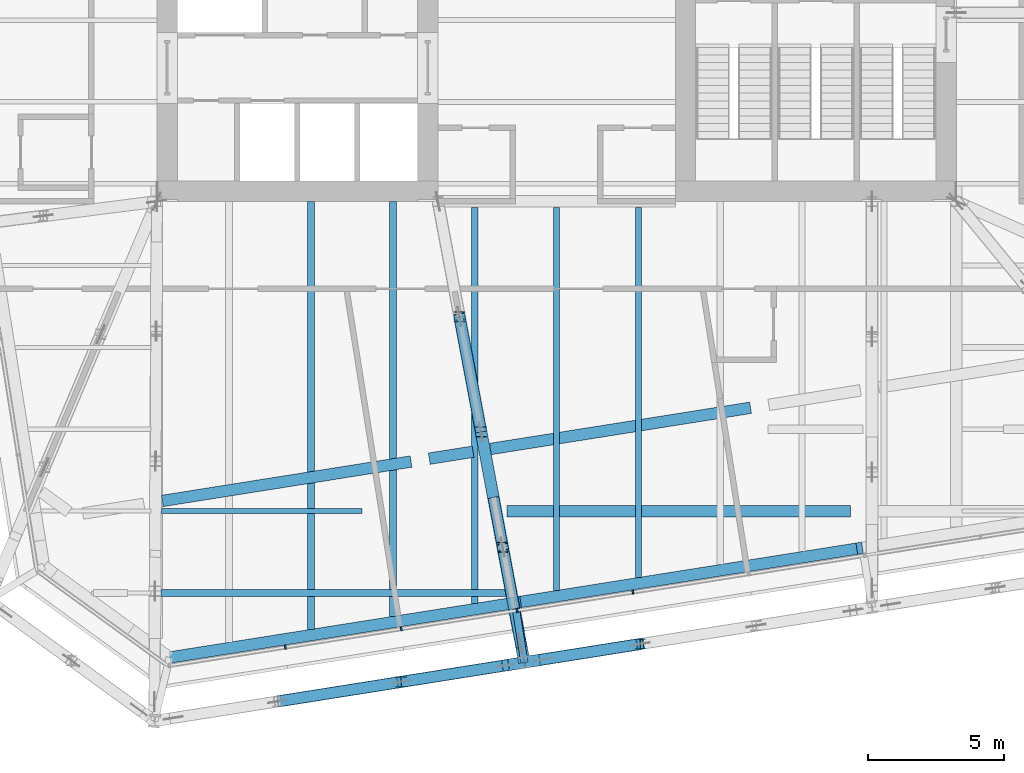
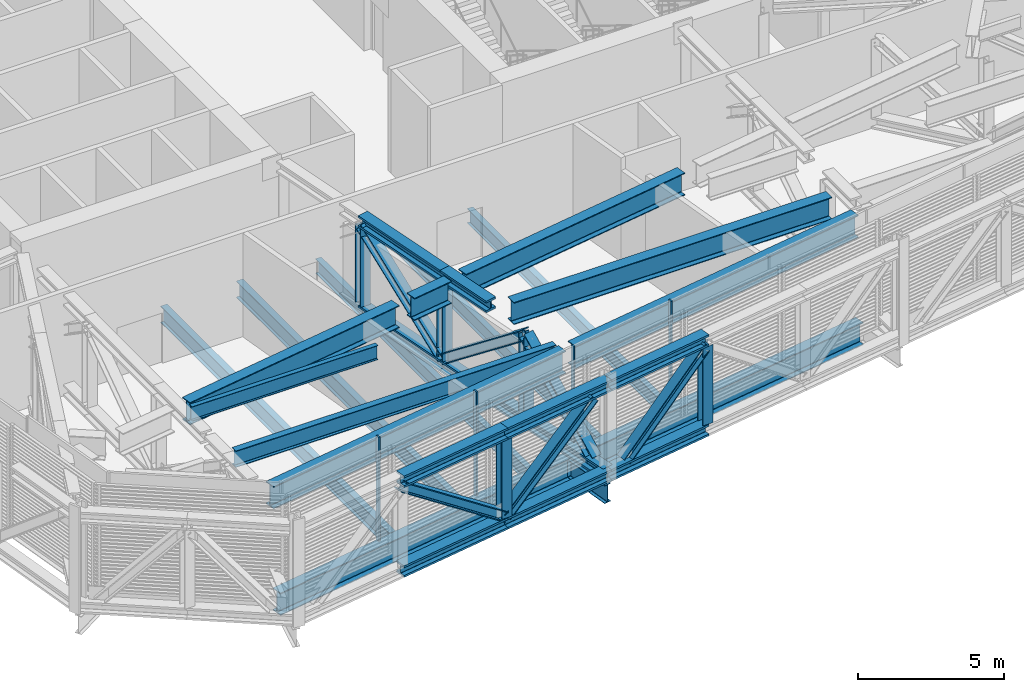
# One storey, part 3 of 31: 27 beams, 15 members, 1 element without a shape of its own.
"""IFC4 building model written with IfcOpenShell, lengths in metres."""

from ifc_helpers import new_model, si_unit, direction, frame, origin, origin_2d, place, context, subcontext, project, spatial, rectangle, i_section, extrude, material, layer, layer_set, material_profile, profile_set, type_object, element, aggregate, save


model = new_model("IFC4")

# Units and contexts
model_context = context("Model", 3, precision=1e-05, world=origin(), true_north=direction((0.0, 1.0)))
body_context = subcontext(model_context, "Body", "Model", "MODEL_VIEW")
ifc_project = project(units=[si_unit("LENGTHUNIT", "METRE"), si_unit("AREAUNIT", "SQUARE_METRE"), si_unit("VOLUMEUNIT", "CUBIC_METRE"), si_unit("PLANEANGLEUNIT", "RADIAN"), si_unit("MASSUNIT", "GRAM", prefix="KILO")], contexts=[model_context])

# Site, building, storey
site_placement = place(None, origin())
site = spatial("IfcSite", under=ifc_project, at=site_placement, CompositionType="ELEMENT")
building_placement = place(site_placement, origin())
building = spatial("IfcBuilding", under=site, at=building_placement, Name="Millrace Tower", CompositionType="ELEMENT")
storey_placement = place(building_placement, frame((0.0, 0.0, 195.60009765625)))
storey = spatial("IfcBuildingStorey", under=building, at=storey_placement, Name="L44", CompositionType="ELEMENT", Elevation=195.60009765625)

# Beams
ifc_material_1 = material(Name="Steel ASTM A992 Grade 50", Category="steel")
ifc_material_profile_1 = material_profile(ifc_material_1, i_section(OverallWidth=0.4267578125, OverallDepth=0.482666015625, WebThickness=0.05126953125, FlangeThickness=0.08154296875, FilletRadius=0.01513671875, at=origin_2d()))
ifc_profile_set_1 = profile_set([ifc_material_profile_1], Name="Steel ASTM A992 Grade 50")
beam_type_1 = type_object("IfcBeamType", Name="Belt truss chord W14x455", PredefinedType="BEAM", material=ifc_profile_set_1)
for number, where, z_axis, x_axis, name in (
    (1, (-10.22119140625, -27.976806640625, 0.2412109375), (0.987689751328, 0.156425557764, 0.0), (-0.156425557764, 0.987689751328, 0.0), "BLT-L44-R02-B02"),
    (2, (-10.22119140625, -27.976806640625, 3.99853515625), (0.987689751328, 0.156425557764, 0.0), (-0.156425557764, 0.987689751328, 0.0), "BLT-L44-R02-T02"),
):
    element("IfcBeam", number, at=place(storey_placement, frame(where, z_axis=z_axis, x_axis=x_axis)), inside=storey, type_object=beam_type_1, Name=name, PredefinedType="BEAM", context=body_context, shape_type="SweptSolid", body=[
        extrude(i_section(OverallWidth=0.4267578125, OverallDepth=0.482666015625, WebThickness=0.05126953125, FlangeThickness=0.08154296875, FilletRadius=0.01513671875, at=origin_2d()), origin(), (0.0, 0.0, 1.0), 4.576171875),
    ])
beam_1_placement = place(storey_placement, frame((-5.701416015625, -27.260986328125, 0.2412109375), z_axis=(0.987691056671, 0.156417315446, 0.0), x_axis=(-0.156417315446, 0.987691056671, 0.0)))
element("IfcBeam", 3, at=beam_1_placement, inside=storey, type_object=beam_type_1, Name="BLT-L44-R02-B03", PredefinedType="BEAM", context=body_context, shape_type="SweptSolid", body=[
    extrude(i_section(OverallWidth=0.4267578125, OverallDepth=0.482666015625, WebThickness=0.05126953125, FlangeThickness=0.08154296875, FilletRadius=0.01513671875, at=origin_2d()), origin(), (0.0, 0.0, 1.0), 4.576416015625),
])
beam_2_placement = place(storey_placement, frame((-1.181396484375, -26.545166015625, 0.2412109375), z_axis=(0.987680420357, 0.156484463266, 0.0), x_axis=(-0.156484463266, 0.987680420357, 0.0)))
element("IfcBeam", 4, at=beam_2_placement, inside=storey, type_object=beam_type_1, Name="BLT-L44-R03-B01", PredefinedType="BEAM", context=body_context, shape_type="SweptSolid", body=[
    extrude(i_section(OverallWidth=0.4267578125, OverallDepth=0.482666015625, WebThickness=0.05126953125, FlangeThickness=0.08154296875, FilletRadius=0.01513671875, at=origin_2d()), origin(), (0.0, 0.0, 1.0), 4.2998046875),
])
beam_3_placement = place(storey_placement, frame((-5.701416015625, -27.260986328125, 3.99853515625), z_axis=(0.987686983817, 0.156443031162, 0.0), x_axis=(-0.156443031162, 0.987686983817, 0.0)))
element("IfcBeam", 5, at=beam_3_placement, inside=storey, type_object=beam_type_1, Name="BLT-L44-R02-T03", PredefinedType="BEAM", context=body_context, shape_type="SweptSolid", body=[
    extrude(i_section(OverallWidth=0.4267578125, OverallDepth=0.482666015625, WebThickness=0.05126953125, FlangeThickness=0.08154296875, FilletRadius=0.01513671875, at=origin_2d()), origin(), (0.0, 0.0, 1.0), 4.566162109375),
])
beam_4_placement = place(storey_placement, frame((-1.171630859375, -26.54345703125, 3.99853515625), z_axis=(0.98768624739, 0.156447680442, 0.0), x_axis=(-0.156447680442, 0.98768624739, 0.0)))
element("IfcBeam", 6, at=beam_4_placement, inside=storey, type_object=beam_type_1, Name="BLT-L44-R03-T01", PredefinedType="BEAM", context=body_context, shape_type="SweptSolid", body=[
    extrude(i_section(OverallWidth=0.4267578125, OverallDepth=0.482666015625, WebThickness=0.05126953125, FlangeThickness=0.08154296875, FilletRadius=0.01513671875, at=origin_2d()), origin(), (0.0, 0.0, 1.0), 4.289794921875),
])

# Members
ifc_material_2 = material(Name="Steel ASTM A992 Grade 50", Category="steel")
ifc_material_profile_2 = material_profile(ifc_material_2, i_section(OverallWidth=0.398681640625, OverallDepth=0.393798828125, WebThickness=0.022705078125, FlangeThickness=0.03662109375, FilletRadius=0.01513671875, at=origin_2d()))
ifc_profile_set_2 = profile_set([ifc_material_profile_2], Name="Steel ASTM A992 Grade 50")
member_type_1 = type_object("IfcMemberType", Name="Belt truss diagonal W14x193", PredefinedType="BRACE", material=ifc_profile_set_2)
member_1_placement = place(storey_placement, frame((-5.701416015625, -27.260986328125, 0.482421875), z_axis=(-0.803196742958, -0.127206441439, 0.581973808137), x_axis=(0.156425557764, -0.987689751328, 0.0)))
element("IfcMember", 7, at=member_1_placement, inside=storey, type_object=member_type_1, Name="BLT-L44-R02-D02", PredefinedType="BRACE", context=body_context, shape_type="SweptSolid", body=[
    extrude(i_section(OverallWidth=0.398681640625, OverallDepth=0.393798828125, WebThickness=0.022705078125, FlangeThickness=0.03662109375, FilletRadius=0.01513671875, at=origin_2d()), origin(), (0.0, 0.0, 1.0), 5.627197265625),
])
member_2_placement = place(storey_placement, frame((-5.701416015625, -27.260986328125, 0.482421875), z_axis=(0.754473702632, 0.119507248906, 0.645358388414), x_axis=(-0.156447687523, 0.987686246269, 0.0)))
element("IfcMember", 8, at=member_2_placement, inside=storey, type_object=member_type_1, Name="BLT-L44-R02-D03", PredefinedType="BRACE", context=body_context, shape_type="SweptSolid", body=[
    extrude(i_section(OverallWidth=0.398681640625, OverallDepth=0.393798828125, WebThickness=0.022705078125, FlangeThickness=0.03662109375, FilletRadius=0.01513671875, at=origin_2d()), origin(), (0.0, 0.0, 1.0), 5.074462890625),
])
member_3_placement = place(storey_placement, frame((-0.490234375, -26.435546875, 0.482421875), z_axis=(0.730607904471, 0.115731422385, 0.672917771943), x_axis=(-0.156453585206, 0.987685312069, 0.0)))
element("IfcMember", 9, at=member_3_placement, inside=storey, type_object=member_type_1, Name="BLT-L44-R03-D01", PredefinedType="BRACE", context=body_context, shape_type="SweptSolid", body=[
    extrude(i_section(OverallWidth=0.398681640625, OverallDepth=0.393798828125, WebThickness=0.022705078125, FlangeThickness=0.03662109375, FilletRadius=0.01513671875, at=origin_2d()), origin(), (0.0, 0.0, 1.0), 4.86669921875),
])
ifc_material_3 = material(Name="Steel ASTM A992 Grade 50", Category="steel")
ifc_material_profile_3 = material_profile(ifc_material_3, i_section(OverallWidth=0.396240234375, OverallDepth=0.381103515625, WebThickness=0.018798828125, FlangeThickness=0.0302734375, FilletRadius=0.01513671875, at=origin_2d()))
ifc_profile_set_3 = profile_set([ifc_material_profile_3], Name="Steel ASTM A992 Grade 50")
member_type_2 = type_object("IfcMemberType", Name="Belt truss post W14x159", PredefinedType="POST", material=ifc_profile_set_3)
for number, where, z_axis, x_axis, name in (
    (10, (-5.701416015625, -27.260986328125, 0.482421875), (0.0, 0.0, 1.0), (1.0, 0.0, 0.0), "BLT-L44-R02-V02"),
    (11, (3.0654296875, -25.872314453125, 0.482421875), (0.0, 0.0, 1.0), (1.0, 0.0, 0.0), "BLT-L44-R03-V01"),
):
    element("IfcMember", number, at=place(storey_placement, frame(where, z_axis=z_axis, x_axis=x_axis)), inside=storey, type_object=member_type_2, Name=name, PredefinedType="POST", context=body_context, shape_type="SweptSolid", body=[
        extrude(i_section(OverallWidth=0.396240234375, OverallDepth=0.381103515625, WebThickness=0.018798828125, FlangeThickness=0.0302734375, FilletRadius=0.01513671875, at=origin_2d()), origin(), (0.0, 0.0, 1.0), 3.27490234375),
    ])

# Curtain wall, members
ifc_material_4 = material(Name="Aluminium and glass", Category="aluminium")
ifc_layer = layer(ifc_material_4, 0.14990234375)
ifc_layer_set = layer_set([ifc_layer], Name="Aluminium and glass")
curtain_wall_type = type_object("IfcCurtainWallType", Name="CW-5 truss and plant storey louvred infill", PredefinedType="NOTDEFINED", material=ifc_layer_set)
curtain_wall_placement = place(storey_placement, origin())
curtain_wall = element("IfcCurtainWall", 12, at=curtain_wall_placement, inside=storey, type_object=curtain_wall_type, Name="Curtain wall C-F02 L44", PredefinedType="NOTDEFINED")
ifc_material_5 = material(Name="Aluminium", Category="aluminium")
ifc_material_profile_4 = material_profile(ifc_material_5, rectangle(XDim=0.06494140625, YDim=0.14990234375, at=origin_2d()))
ifc_profile_set_4 = profile_set([ifc_material_profile_4], Name="Aluminium")
member_type_3 = type_object("IfcMemberType", Name="CW-5 truss and plant storey louvred infill mullion", PredefinedType="MULLION", material=ifc_profile_set_4)
member_4_placement = place(storey_placement, frame((-9.944580078125, -25.98388671875, 0.139892578125), z_axis=(0.0, 0.0, 1.0), x_axis=(0.98768833929, 0.15643447328, 0.0)))
member_4 = element("IfcMember", 13, at=member_4_placement, type_object=member_type_3, Name="CW5 mullion C-F02.2", PredefinedType="MULLION", context=body_context, shape_type="SweptSolid", body=[
    extrude(rectangle(XDim=0.06494140625, YDim=0.14990234375, at=origin_2d()), origin(), (0.0, 0.0, 1.0), 4.360107421875),
])
member_5_placement = place(storey_placement, frame((-5.697509765625, -25.311279296875, 0.139892578125), z_axis=(0.0, 0.0, 1.0), x_axis=(0.98768833929, 0.15643447328, 0.0)))
member_5 = element("IfcMember", 14, at=member_5_placement, type_object=member_type_3, Name="CW5 mullion C-F02.3", PredefinedType="MULLION", context=body_context, shape_type="SweptSolid", body=[
    extrude(rectangle(XDim=0.06494140625, YDim=0.14990234375, at=origin_2d()), origin(), (0.0, 0.0, 1.0), 4.360107421875),
])
member_6_placement = place(storey_placement, frame((-1.450439453125, -24.638671875, 0.139892578125), z_axis=(0.0, 0.0, 1.0), x_axis=(0.98768833929, 0.15643447328, 0.0)))
member_6 = element("IfcMember", 15, at=member_6_placement, type_object=member_type_3, Name="CW5 mullion C-F02.4", PredefinedType="MULLION", context=body_context, shape_type="SweptSolid", body=[
    extrude(rectangle(XDim=0.06494140625, YDim=0.14990234375, at=origin_2d()), origin(), (0.0, 0.0, 1.0), 4.360107421875),
])
member_7_placement = place(storey_placement, frame((2.796630859375, -23.966064453125, 0.139892578125), z_axis=(0.0, 0.0, 1.0), x_axis=(0.98768833929, 0.15643447328, 0.0)))
member_7 = element("IfcMember", 16, at=member_7_placement, type_object=member_type_3, Name="CW5 mullion C-F02.5", PredefinedType="MULLION", context=body_context, shape_type="SweptSolid", body=[
    extrude(rectangle(XDim=0.06494140625, YDim=0.14990234375, at=origin_2d()), origin(), (0.0, 0.0, 1.0), 4.360107421875),
])
aggregate(curtain_wall, [member_4, member_5, member_6, member_7])

# Beams
ifc_material_6 = material(Name="Steel ASTM A992 Grade 50", Category="steel")
ifc_material_profile_5 = material_profile(ifc_material_6, i_section(OverallWidth=0.1787109375, OverallDepth=0.60205078125, WebThickness=0.010986328125, FlangeThickness=0.014892578125, FilletRadius=0.0126953125, at=origin_2d()))
ifc_profile_set_5 = profile_set([ifc_material_profile_5], Name="Steel ASTM A992 Grade 50")
beam_type_2 = type_object("IfcBeamType", Name="Floor beam W24x62", PredefinedType="JOIST", material=ifc_profile_set_5)
beam_5_placement = place(storey_placement, frame((-14.489501953125, -21.0, 4.038818359375), z_axis=(1.0, 0.0, 0.0), x_axis=(0.0, 1.0, 0.0)))
element("IfcBeam", 17, at=beam_5_placement, inside=storey, type_object=beam_type_2, Name="BM-C-L44-R1-S002", PredefinedType="JOIST", context=body_context, shape_type="SweptSolid", body=[
    extrude(i_section(OverallWidth=0.1787109375, OverallDepth=0.60205078125, WebThickness=0.010986328125, FlangeThickness=0.014892578125, FilletRadius=0.0126953125, at=origin_2d()), origin(), (0.0, 0.0, 1.0), 7.365966796875),
])
ifc_material_7 = material(Name="Steel ASTM A992 Grade 50", Category="steel")
ifc_material_profile_6 = material_profile(ifc_material_7, i_section(OverallWidth=0.228271484375, OverallDepth=0.607177734375, WebThickness=0.01123046875, FlangeThickness=0.017333984375, FilletRadius=0.0126953125, at=origin_2d()))
ifc_profile_set_6 = profile_set([ifc_material_profile_6], Name="Steel ASTM A992 Grade 50")
beam_type_3 = type_object("IfcBeamType", Name="Floor beam W24x76", PredefinedType="JOIST", material=ifc_profile_set_6)
beam_6_placement = place(storey_placement, frame((-3.0, -24.38134765625, -0.5537109375), z_axis=(0.0, 1.0, 0.0), x_axis=(-1.0, 0.0, 0.0)))
element("IfcBeam", 18, at=beam_6_placement, inside=storey, type_object=beam_type_3, Name="BM-C-L44-S1-S046", PredefinedType="JOIST", context=body_context, shape_type="SweptSolid", body=[
    extrude(i_section(OverallWidth=0.228271484375, OverallDepth=0.607177734375, WebThickness=0.01123046875, FlangeThickness=0.017333984375, FilletRadius=0.0126953125, at=origin_2d()), origin(), (0.0, 0.0, 1.0), 14.519287109375),
])
beam_7_placement = place(storey_placement, frame((0.0, -23.906005859375, -0.5537109375), z_axis=(0.0, 1.0, 0.0), x_axis=(-1.0, 0.0, 0.0)))
element("IfcBeam", 19, at=beam_7_placement, inside=storey, type_object=beam_type_3, Name="BM-C-L44-S1-S048", PredefinedType="JOIST", context=body_context, shape_type="SweptSolid", body=[
    extrude(i_section(OverallWidth=0.228271484375, OverallDepth=0.607177734375, WebThickness=0.01123046875, FlangeThickness=0.017333984375, FilletRadius=0.0126953125, at=origin_2d()), origin(), (0.0, 0.0, 1.0), 14.0439453125),
])
beam_8_placement = place(storey_placement, frame((3.0, -23.430908203125, -0.5537109375), z_axis=(0.0, 1.0, 0.0), x_axis=(-1.0, 0.0, 0.0)))
element("IfcBeam", 20, at=beam_8_placement, inside=storey, type_object=beam_type_3, Name="BM-C-L44-S1-S050", PredefinedType="JOIST", context=body_context, shape_type="SweptSolid", body=[
    extrude(i_section(OverallWidth=0.228271484375, OverallDepth=0.607177734375, WebThickness=0.01123046875, FlangeThickness=0.017333984375, FilletRadius=0.0126953125, at=origin_2d()), origin(), (0.0, 0.0, 1.0), 13.56884765625),
])
ifc_material_8 = material(Name="Steel ASTM A992 Grade 50", Category="steel")
ifc_material_profile_7 = material_profile(ifc_material_8, i_section(OverallWidth=0.256591796875, OverallDepth=0.693359375, WebThickness=0.014404296875, FlangeThickness=0.023681640625, FilletRadius=0.01513671875, at=origin_2d()))
ifc_profile_set_7 = profile_set([ifc_material_profile_7], Name="Steel ASTM A992 Grade 50")
beam_type_4 = type_object("IfcBeamType", Name="Floor beam W27x114", PredefinedType="JOIST", material=ifc_profile_set_7)
beam_9_placement = place(storey_placement, frame((-9.0, -25.33154296875, -0.596923828125), z_axis=(0.0, 1.0, 0.0), x_axis=(-1.0, 0.0, 0.0)))
element("IfcBeam", 21, at=beam_9_placement, inside=storey, type_object=beam_type_4, Name="BM-C-L44-S1-S042", PredefinedType="JOIST", context=body_context, shape_type="SweptSolid", body=[
    extrude(i_section(OverallWidth=0.256591796875, OverallDepth=0.693359375, WebThickness=0.014404296875, FlangeThickness=0.023681640625, FilletRadius=0.01513671875, at=origin_2d()), origin(), (0.0, 0.0, 1.0), 15.681640625),
])
beam_10_placement = place(storey_placement, frame((-6.0, -24.8564453125, -0.596923828125), z_axis=(0.0, 1.0, 0.0), x_axis=(-1.0, 0.0, 0.0)))
element("IfcBeam", 22, at=beam_10_placement, inside=storey, type_object=beam_type_4, Name="BM-C-L44-S1-S044", PredefinedType="JOIST", context=body_context, shape_type="SweptSolid", body=[
    extrude(i_section(OverallWidth=0.256591796875, OverallDepth=0.693359375, WebThickness=0.014404296875, FlangeThickness=0.023681640625, FilletRadius=0.01513671875, at=origin_2d()), origin(), (0.0, 0.0, 1.0), 15.20654296875),
])
beam_11_placement = place(storey_placement, frame((-14.503662109375, -24.0, 3.9931640625), z_axis=(1.0, 0.0, 0.0), x_axis=(0.0, 1.0, 0.0)))
element("IfcBeam", 23, at=beam_11_placement, inside=storey, type_object=beam_type_4, Name="BM-C-L44-R1-S001-b", PredefinedType="JOIST", context=body_context, shape_type="SweptSolid", body=[
    extrude(i_section(OverallWidth=0.256591796875, OverallDepth=0.693359375, WebThickness=0.014404296875, FlangeThickness=0.023681640625, FilletRadius=0.01513671875, at=origin_2d()), origin(), (0.0, 0.0, 1.0), 12.682373046875),
])
ifc_material_9 = material(Name="Steel ASTM A992 Grade 50", Category="steel")
ifc_material_profile_8 = material_profile(ifc_material_9, i_section(OverallWidth=0.419189453125, OverallDepth=0.927001953125, WebThickness=0.019287109375, FlangeThickness=0.031982421875, FilletRadius=0.024169921875, at=origin_2d()))
ifc_profile_set_8 = profile_set([ifc_material_profile_8], Name="Steel ASTM A992 Grade 50")
beam_type_5 = type_object("IfcBeamType", Name="Floor beam W36x231", PredefinedType="JOIST", material=ifc_profile_set_8)
beam_12_placement = place(storey_placement, frame((-1.81103515625, -21.0, 3.87646484375), z_axis=(1.0, 0.0, 0.0), x_axis=(0.0, 1.0, 0.0)))
element("IfcBeam", 24, at=beam_12_placement, inside=storey, type_object=beam_type_5, Name="BM-C-L44-R1-S003-b-a", PredefinedType="JOIST", context=body_context, shape_type="SweptSolid", body=[
    extrude(i_section(OverallWidth=0.419189453125, OverallDepth=0.927001953125, WebThickness=0.019287109375, FlangeThickness=0.031982421875, FilletRadius=0.024169921875, at=origin_2d()), origin(), (0.0, 0.0, 1.0), 12.58935546875),
])
ifc_material_10 = material(Name="Steel ASTM A992 Grade 50", Category="steel")
ifc_material_profile_9 = material_profile(ifc_material_10, i_section(OverallWidth=0.2666015625, OverallDepth=0.7568359375, WebThickness=0.013916015625, FlangeThickness=0.019287109375, FilletRadius=0.0166015625, at=origin_2d()))
ifc_profile_set_9 = profile_set([ifc_material_profile_9], Name="Steel ASTM A992 Grade 50")
beam_type_6 = type_object("IfcBeamType", Name="Link beam W30x108", PredefinedType="BEAM", material=ifc_profile_set_9)
beam_13_placement = place(storey_placement, frame((-1.494384765625, -24.569580078125, -0.628662109375), z_axis=(0.156476509441, -0.987681680499, 0.0), x_axis=(0.987681680499, 0.156476509441, 0.0)))
element("IfcBeam", 25, at=beam_13_placement, inside=storey, type_object=beam_type_6, Name="LNK-C-L44-S1-15", PredefinedType="BEAM", context=body_context, shape_type="SweptSolid", body=[
    extrude(i_section(OverallWidth=0.2666015625, OverallDepth=0.7568359375, WebThickness=0.013916015625, FlangeThickness=0.019287109375, FilletRadius=0.0166015625, at=origin_2d()), origin(), (0.0, 0.0, 1.0), 2.000244140625),
])
ifc_material_11 = material(Name="Steel ASTM A992 Grade 50", Category="steel")
ifc_material_profile_10 = material_profile(ifc_material_11, i_section(OverallWidth=0.4267578125, OverallDepth=0.482666015625, WebThickness=0.05126953125, FlangeThickness=0.08154296875, FilletRadius=0.01513671875, at=origin_2d()))
ifc_profile_set_10 = profile_set([ifc_material_profile_10], Name="Steel ASTM A992 Grade 50")
beam_type_7 = type_object("IfcBeamType", Name="Outrigger truss chord W14x455", PredefinedType="BEAM", material=ifc_profile_set_10)
for number, where, z_axis, x_axis, name in (
    (26, (-3.557861328125, -13.873779296875, 0.2412109375), (0.184302255974, -0.982869614162, 0.0), (0.982869614162, 0.184302255974, 0.0), "BLT-L44-O03-B02"),
    (27, (-3.557861328125, -13.873779296875, 3.99853515625), (0.184302255974, -0.982869614162, 0.0), (0.982869614162, 0.184302255974, 0.0), "BLT-L44-O03-T02"),
):
    element("IfcBeam", number, at=place(storey_placement, frame(where, z_axis=z_axis, x_axis=x_axis)), inside=storey, type_object=beam_type_7, Name=name, PredefinedType="BEAM", context=body_context, shape_type="SweptSolid", body=[
        extrude(i_section(OverallWidth=0.4267578125, OverallDepth=0.482666015625, WebThickness=0.05126953125, FlangeThickness=0.08154296875, FilletRadius=0.01513671875, at=origin_2d()), origin(), (0.0, 0.0, 1.0), 4.29736328125),
    ])
for number, where, z_axis, x_axis, name in (
    (28, (-2.765869140625, -18.097412109375, 0.2412109375), (0.18434684486, -0.982861252055, 0.0), (0.982861252055, 0.18434684486, 0.0), "BLT-L44-O03-B03"),
    (29, (-1.9736328125, -22.3212890625, 0.2412109375), (0.18434684486, -0.982861252055, 0.0), (0.982861252055, 0.18434684486, 0.0), "BLT-L44-O03-B04"),
):
    element("IfcBeam", number, at=place(storey_placement, frame(where, z_axis=z_axis, x_axis=x_axis)), inside=storey, type_object=beam_type_7, Name=name, PredefinedType="BEAM", context=body_context, shape_type="SweptSolid", body=[
        extrude(i_section(OverallWidth=0.4267578125, OverallDepth=0.482666015625, WebThickness=0.05126953125, FlangeThickness=0.08154296875, FilletRadius=0.01513671875, at=origin_2d()), origin(), (0.0, 0.0, 1.0), 4.297607421875),
    ])
beam_14_placement = place(storey_placement, frame((-2.765869140625, -18.097412109375, 3.99853515625), z_axis=(0.184348829911, -0.982860879733, 0.0), x_axis=(0.982860879733, 0.184348829911, 0.0)))
element("IfcBeam", 30, at=beam_14_placement, inside=storey, type_object=beam_type_7, Name="BLT-L44-O03-T03", PredefinedType="BEAM", context=body_context, shape_type="SweptSolid", body=[
    extrude(i_section(OverallWidth=0.4267578125, OverallDepth=0.482666015625, WebThickness=0.05126953125, FlangeThickness=0.08154296875, FilletRadius=0.01513671875, at=origin_2d()), origin(), (0.0, 0.0, 1.0), 2.44482421875),
])

# Members
ifc_material_12 = material(Name="Steel ASTM A992 Grade 50", Category="steel")
ifc_material_profile_11 = material_profile(ifc_material_12, i_section(OverallWidth=0.398681640625, OverallDepth=0.393798828125, WebThickness=0.022705078125, FlangeThickness=0.03662109375, FilletRadius=0.01513671875, at=origin_2d()))
ifc_profile_set_11 = profile_set([ifc_material_profile_11], Name="Steel ASTM A992 Grade 50")
member_type_4 = type_object("IfcMemberType", Name="Outrigger truss diagonal W14x193", PredefinedType="BRACE", material=ifc_profile_set_11)
member_8_placement = place(storey_placement, frame((-2.765869140625, -18.097412109375, 0.482421875), z_axis=(-0.146586540938, 0.781734635706, 0.606138057998), x_axis=(-0.982869614162, -0.184302255974, 0.0)))
element("IfcMember", 31, at=member_8_placement, inside=storey, type_object=member_type_4, Name="BLT-L44-O03-D02", PredefinedType="BRACE", context=body_context, shape_type="SweptSolid", body=[
    extrude(i_section(OverallWidth=0.398681640625, OverallDepth=0.393798828125, WebThickness=0.022705078125, FlangeThickness=0.03662109375, FilletRadius=0.01513671875, at=origin_2d()), origin(), (0.0, 0.0, 1.0), 5.40283203125),
])
member_9_placement = place(storey_placement, frame((-2.765869140625, -18.097412109375, 0.482421875), z_axis=(0.146625577088, -0.781747029028, 0.606112632066), x_axis=(0.982861252055, 0.18434684486, 0.0)))
element("IfcMember", 32, at=member_9_placement, inside=storey, type_object=member_type_4, Name="BLT-L44-O03-D03", PredefinedType="BRACE", context=body_context, shape_type="SweptSolid", body=[
    extrude(i_section(OverallWidth=0.398681640625, OverallDepth=0.393798828125, WebThickness=0.022705078125, FlangeThickness=0.03662109375, FilletRadius=0.01513671875, at=origin_2d()), origin(), (0.0, 0.0, 1.0), 5.403076171875),
])
member_10_placement = place(storey_placement, frame((-1.310546875, -25.85693359375, 0.482421875), z_axis=(-0.136305201421, 0.726793787546, 0.67319512955), x_axis=(-0.982864502909, -0.184329511801, 0.0)))
element("IfcMember", 33, at=member_10_placement, inside=storey, type_object=member_type_4, Name="BLT-L44-O03-D04", PredefinedType="BRACE", context=body_context, shape_type="SweptSolid", body=[
    extrude(i_section(OverallWidth=0.398681640625, OverallDepth=0.393798828125, WebThickness=0.022705078125, FlangeThickness=0.03662109375, FilletRadius=0.01513671875, at=origin_2d()), origin(), (0.0, 0.0, 1.0), 4.86474609375),
])
ifc_material_13 = material(Name="Steel ASTM A992 Grade 50", Category="steel")
ifc_material_profile_12 = material_profile(ifc_material_13, i_section(OverallWidth=0.396240234375, OverallDepth=0.381103515625, WebThickness=0.018798828125, FlangeThickness=0.0302734375, FilletRadius=0.01513671875, at=origin_2d()))
ifc_profile_set_12 = profile_set([ifc_material_profile_12], Name="Steel ASTM A992 Grade 50")
member_type_5 = type_object("IfcMemberType", Name="Outrigger truss post W14x159", PredefinedType="POST", material=ifc_profile_set_12)
for number, where, z_axis, x_axis, name in (
    (34, (-3.557861328125, -13.873779296875, 0.482421875), (0.0, 0.0, 1.0), (1.0, 0.0, 0.0), "BLT-L44-O03-V01"),
    (35, (-2.765869140625, -18.097412109375, 0.482421875), (0.0, 0.0, 1.0), (1.0, 0.0, 0.0), "BLT-L44-O03-V02"),
    (36, (-1.9736328125, -22.3212890625, 0.482421875), (0.0, 0.0, 1.0), (1.0, 0.0, 0.0), "BLT-L44-O03-V03"),
):
    element("IfcMember", number, at=place(storey_placement, frame(where, z_axis=z_axis, x_axis=x_axis)), inside=storey, type_object=member_type_5, Name=name, PredefinedType="POST", context=body_context, shape_type="SweptSolid", body=[
        extrude(i_section(OverallWidth=0.396240234375, OverallDepth=0.381103515625, WebThickness=0.018798828125, FlangeThickness=0.0302734375, FilletRadius=0.01513671875, at=origin_2d()), origin(), (0.0, 0.0, 1.0), 3.27490234375),
    ])

# Beams
ifc_material_14 = material(Name="Steel ASTM A992 Grade 50", Category="steel")
ifc_material_profile_13 = material_profile(ifc_material_14, i_section(OverallWidth=0.421630859375, OverallDepth=0.937255859375, WebThickness=0.021240234375, FlangeThickness=0.03662109375, FilletRadius=0.024169921875, at=origin_2d()))
ifc_profile_set_13 = profile_set([ifc_material_profile_13], Name="Steel ASTM A992 Grade 50")
beam_type_8 = type_object("IfcBeamType", Name="Ring beam medium span W36x262", PredefinedType="SPANDREL", material=ifc_profile_set_13)
beam_15_placement = place(storey_placement, frame((11.2138671875, -22.343505859375, -0.71875), z_axis=(-0.987687659758, -0.156438763615, 0.0), x_axis=(0.156438763615, -0.987687659758, 0.0)))
element("IfcBeam", 37, at=beam_15_placement, inside=storey, type_object=beam_type_8, Name="RNG-C-L44-S1-14", PredefinedType="SPANDREL", context=body_context, shape_type="SweptSolid", body=[
    extrude(i_section(OverallWidth=0.421630859375, OverallDepth=0.937255859375, WebThickness=0.021240234375, FlangeThickness=0.03662109375, FilletRadius=0.024169921875, at=origin_2d()), origin(), (0.0, 0.0, 1.0), 12.900146484375),
])
beam_16_placement = place(storey_placement, frame((-1.52734375, -24.361572265625, -0.71875), z_axis=(-0.987690864914, -0.156418526287, 0.0), x_axis=(0.156418526287, -0.987690864914, 0.0)))
element("IfcBeam", 38, at=beam_16_placement, inside=storey, type_object=beam_type_8, Name="RNG-C-L44-S1-15", PredefinedType="SPANDREL", context=body_context, shape_type="SweptSolid", body=[
    extrude(i_section(OverallWidth=0.421630859375, OverallDepth=0.937255859375, WebThickness=0.021240234375, FlangeThickness=0.03662109375, FilletRadius=0.024169921875, at=origin_2d()), origin(), (0.0, 0.0, 1.0), 12.812744140625),
])
beam_17_placement = place(storey_placement, frame((-1.74072265625, -24.395263671875, 3.871337890625), z_axis=(-0.987689049143, -0.156429991382, 0.0), x_axis=(0.156429991382, -0.987689049143, 0.0)))
element("IfcBeam", 39, at=beam_17_placement, inside=storey, type_object=beam_type_8, Name="RNG-C-L44-R1-07", PredefinedType="SPANDREL", context=body_context, shape_type="SweptSolid", body=[
    extrude(i_section(OverallWidth=0.421630859375, OverallDepth=0.937255859375, WebThickness=0.021240234375, FlangeThickness=0.03662109375, FilletRadius=0.024169921875, at=origin_2d()), origin(), (0.0, 0.0, 1.0), 12.90087890625),
])
beam_18_placement = place(storey_placement, frame((11.00439453125, -22.376708984375, 3.871337890625), z_axis=(-0.987688278527, -0.156434856922, 0.0), x_axis=(0.156434856922, -0.987688278527, 0.0)))
element("IfcBeam", 40, at=beam_18_placement, inside=storey, type_object=beam_type_8, Name="RNG-C-L44-R1-06", PredefinedType="SPANDREL", context=body_context, shape_type="SweptSolid", body=[
    extrude(i_section(OverallWidth=0.421630859375, OverallDepth=0.937255859375, WebThickness=0.021240234375, FlangeThickness=0.03662109375, FilletRadius=0.024169921875, at=origin_2d()), origin(), (0.0, 0.0, 1.0), 12.475830078125),
])
ifc_material_15 = material(Name="Steel ASTM A992 Grade 50", Category="steel")
ifc_material_profile_14 = material_profile(ifc_material_15, i_section(OverallWidth=0.421630859375, OverallDepth=0.937255859375, WebThickness=0.021240234375, FlangeThickness=0.03662109375, FilletRadius=0.024169921875, at=origin_2d()))
ifc_profile_set_14 = profile_set([ifc_material_profile_14], Name="Steel ASTM A992 Grade 50")
beam_type_9 = type_object("IfcBeamType", Name="Ring beam short span W36x262", PredefinedType="SPANDREL", material=ifc_profile_set_14)
beam_19_placement = place(storey_placement, frame((-14.451904296875, -20.627197265625, 3.871337890625), z_axis=(0.987691882944, 0.156412097891, 0.0), x_axis=(-0.156412097891, 0.987691882944, 0.0)))
element("IfcBeam", 41, at=beam_19_placement, inside=storey, type_object=beam_type_9, Name="RNG-C-L44-R1-11-b-a-a", PredefinedType="SPANDREL", context=body_context, shape_type="SweptSolid", body=[
    extrude(i_section(OverallWidth=0.421630859375, OverallDepth=0.937255859375, WebThickness=0.021240234375, FlangeThickness=0.03662109375, FilletRadius=0.024169921875, at=origin_2d()), origin(), (0.0, 0.0, 1.0), 9.23095703125),
])
beam_20_placement = place(storey_placement, frame((-4.66650390625, -19.077392578125, 3.871337890625), z_axis=(0.987697105454, 0.15637911586, 0.0), x_axis=(-0.15637911586, 0.987697105454, 0.0)))
element("IfcBeam", 42, at=beam_20_placement, inside=storey, type_object=beam_type_9, Name="RNG-C-L44-R1-11-b-a-b", PredefinedType="SPANDREL", context=body_context, shape_type="SweptSolid", body=[
    extrude(i_section(OverallWidth=0.421630859375, OverallDepth=0.937255859375, WebThickness=0.021240234375, FlangeThickness=0.03662109375, FilletRadius=0.024169921875, at=origin_2d()), origin(), (0.0, 0.0, 1.0), 1.625244140625),
])
beam_21_placement = place(storey_placement, frame((-2.424560546875, -18.722412109375, 3.871337890625), z_axis=(0.987687185197, 0.156441759765, 0.0), x_axis=(-0.156441759765, 0.987687185197, 0.0)))
element("IfcBeam", 43, at=beam_21_placement, inside=storey, type_object=beam_type_9, Name="RNG-C-L44-R1-11-b-b-a-a", PredefinedType="SPANDREL", context=body_context, shape_type="SweptSolid", body=[
    extrude(i_section(OverallWidth=0.421630859375, OverallDepth=0.937255859375, WebThickness=0.021240234375, FlangeThickness=0.03662109375, FilletRadius=0.024169921875, at=origin_2d()), origin(), (0.0, 0.0, 1.0), 9.65380859375),
])

save(model, "model.ifc")
